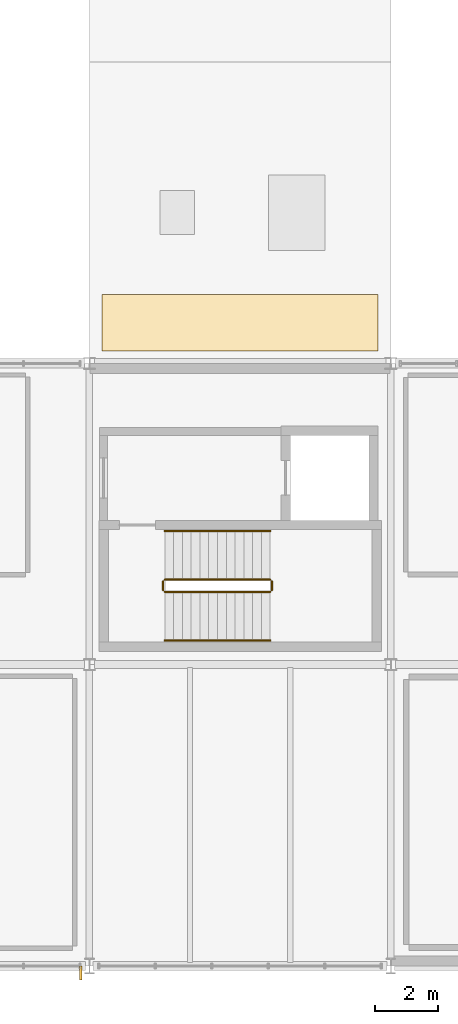
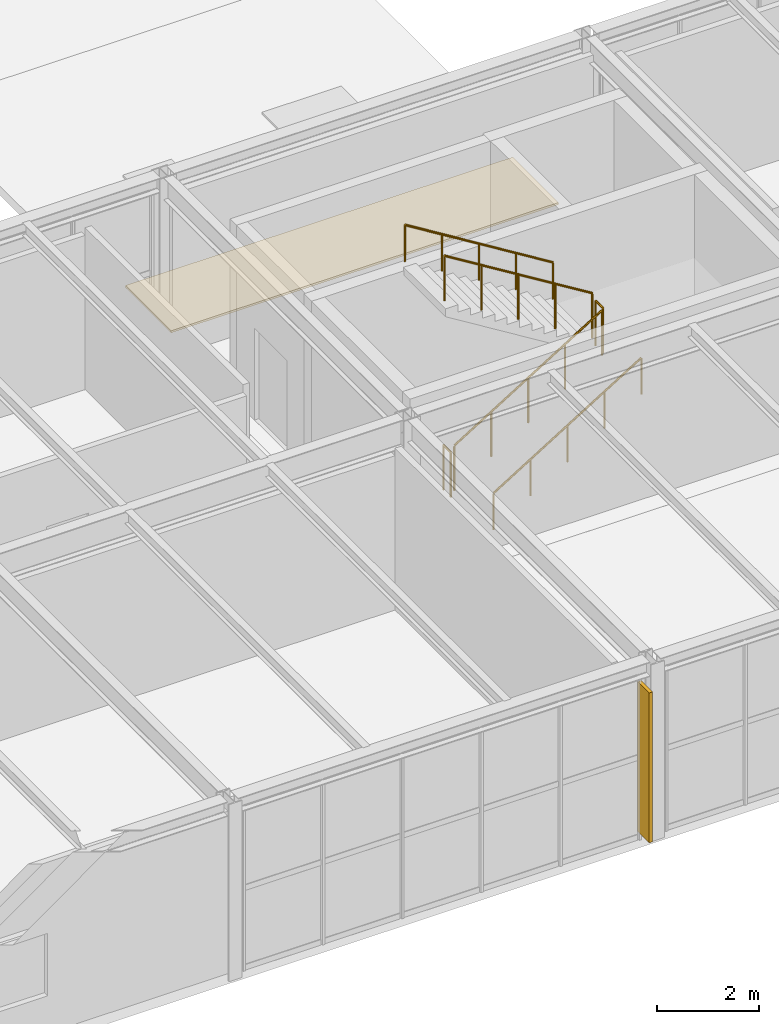
# One storey, part 159 of 170: 6 railings, 1 covering, 1 shading device.
"""IFC4 building model written with IfcOpenShell, lengths in metres."""

import ifcopenshell
import ifcopenshell.guid

model = None  # the IFC model being written
_history = None  # IfcOwnerHistory: only IFC2X3 demands one
_inside = {}  # id of a spatial element -> (the spatial element, [elements in it])
_under = {}  # id of a project, library or spatial element -> (it, [spatial elements below it])
_declared = {}  # id of a project -> (the project, [libraries it declares])
_typed = {}  # id of a type object -> (the type object, [elements of that type])
_made_of = {}  # id of a material, layer set ... -> (it, [elements and type objects made of it])


def new_model(schema):
    """Start an empty IFC model of exactly this schema.

    Asked for "IFC4X3", IfcOpenShell would pick the latest addendum, in which some entities
    have other attributes; the version numbers below select the first issue.
    IFC2X3 requires an IfcOwnerHistory on every rooted entity: one is made here for all.
    """
    global model, _history
    if schema == "IFC4X3":
        model = ifcopenshell.file(schema_version=(4, 3, 0, 0))
    else:
        model = ifcopenshell.file(schema=schema)
    _inside.clear()
    _under.clear()
    _declared.clear()
    _typed.clear()
    _made_of.clear()
    _history = None
    if model.schema == "IFC2X3":
        org = make("IfcOrganization", Name="unknown")
        user = make(
            "IfcPersonAndOrganization",
            ThePerson=make("IfcPerson", FamilyName="unknown"),
            TheOrganization=org,
        )
        app = make(
            "IfcApplication",
            ApplicationDeveloper=org,
            Version="unknown",
            ApplicationFullName="unknown",
            ApplicationIdentifier="unknown",
        )
        _history = make(
            "IfcOwnerHistory",
            OwningUser=user,
            OwningApplication=app,
            ChangeAction="ADDED",
            CreationDate=0,
        )
    return model


def make(cls, **values):
    """One entity of the class cls with the attributes given. An attribute that is None is left unset."""
    return model.create_entity(
        cls, **{name: value for name, value in values.items() if value is not None}
    )


def rooted(cls, **values):
    """An entity with a GlobalId (a new one), such as an element, a storey or a relation."""
    return make(cls, GlobalId=ifcopenshell.guid.new(), OwnerHistory=_history, **values)


def si_unit(unit_type, name, prefix=None):
    """IfcSIUnit, for example si_unit("LENGTHUNIT", "METRE", prefix="MILLI")."""
    return make("IfcSIUnit", UnitType=unit_type, Prefix=prefix, Name=name)


def assignment(units):
    """IfcUnitAssignment: the units of a project."""
    return None if units is None else make("IfcUnitAssignment", Units=units)


def point(xyz):
    """IfcCartesianPoint."""
    return None if xyz is None else make("IfcCartesianPoint", Coordinates=xyz)


def direction(xyz):
    """IfcDirection."""
    return None if xyz is None else make("IfcDirection", DirectionRatios=xyz)


def frame(location, z_axis=None, x_axis=None):
    """IfcAxis2Placement3D, a coordinate frame: its origin and axes. An axis left out is left unset."""
    return make(
        "IfcAxis2Placement3D",
        Location=point(location),
        Axis=direction(z_axis),
        RefDirection=direction(x_axis),
    )


def frame_2d(location, x_axis=None):
    """IfcAxis2Placement2D, a coordinate frame in the plane: its origin and x axis."""
    return make(
        "IfcAxis2Placement2D", Location=point(location), RefDirection=direction(x_axis)
    )


def origin():
    """The frame at (0, 0, 0) with its axes left unset."""
    return frame((0.0, 0.0, 0.0))


def origin_2d():
    """The frame at (0, 0) in the plane with its x axis left unset."""
    return frame_2d((0.0, 0.0))


def place(relative_to, where):
    """IfcLocalPlacement: puts the frame where relative to a parent placement (None: the world)."""
    return make(
        "IfcLocalPlacement", PlacementRelTo=relative_to, RelativePlacement=where
    )


def context(
    kind, dimensions, precision=None, world=None, true_north=None, identifier=None
):
    """IfcGeometricRepresentationContext, for example the 3D "Model" context."""
    return make(
        "IfcGeometricRepresentationContext",
        ContextIdentifier=identifier,
        ContextType=kind,
        CoordinateSpaceDimension=dimensions,
        Precision=precision,
        WorldCoordinateSystem=world,
        TrueNorth=true_north,
    )


def subcontext(parent, identifier, kind, view, scale=None):
    """IfcGeometricRepresentationSubContext, for example "Body" below "Model"."""
    return make(
        "IfcGeometricRepresentationSubContext",
        ContextIdentifier=identifier,
        ContextType=kind,
        ParentContext=parent,
        TargetScale=scale,
        TargetView=view,
    )


def project(units=None, contexts=None):
    """IfcProject with its units and contexts."""
    return rooted(
        "IfcProject",
        Name="project",
        RepresentationContexts=contexts,
        UnitsInContext=assignment(units),
    )


def spatial(cls, under=None, at=None, **own):
    """A site, building, storey or space (cls), placed at a placement, below another one or the project."""
    s = rooted(cls, ObjectPlacement=at, **own)
    if under is not None:
        _under.setdefault(under.id(), (under, []))[1].append(s)
    return s


def polyline(points):
    """IfcPolyline through the points."""
    return make("IfcPolyline", Points=[point(p) for p in points])


def profile(cls, at=None, kind="AREA", **sizes):
    """A parametric profile (cls). Its sizes go by their IFC names, for example OverallWidth=200.0."""
    return make(cls, ProfileType=kind, Position=at, **sizes)


def rectangle(**sizes):
    """IfcRectangleProfileDef."""
    return profile("IfcRectangleProfileDef", **sizes)


def circle(**sizes):
    """IfcCircleProfileDef."""
    return profile("IfcCircleProfileDef", **sizes)


def outline(outer, holes=None, kind="AREA"):
    """IfcArbitraryClosedProfileDef: a profile drawn as a closed curve; with holes, ...WithVoids."""
    if holes is None:
        return make("IfcArbitraryClosedProfileDef", ProfileType=kind, OuterCurve=outer)
    return make(
        "IfcArbitraryProfileDefWithVoids",
        ProfileType=kind,
        OuterCurve=outer,
        InnerCurves=holes,
    )


def extrude(swept, where, along, depth):
    """IfcExtrudedAreaSolid: the profile swept, set in the frame where, extruded along a direction by depth."""
    return make(
        "IfcExtrudedAreaSolid",
        SweptArea=swept,
        Position=where,
        ExtrudedDirection=direction(along),
        Depth=depth,
    )


def shape(context_of_items, identifier, shape_type, items):
    """IfcShapeRepresentation: the items that make up one representation, for example the "Body"."""
    return make(
        "IfcShapeRepresentation",
        ContextOfItems=context_of_items,
        RepresentationIdentifier=identifier,
        RepresentationType=shape_type,
        Items=items,
    )


def material(Name=None, Category=None):
    """IfcMaterial."""
    return make("IfcMaterial", Name=Name, Category=Category)


def layer(
    of_material, thickness, ventilated=None, Name=None, Category=None, Priority=None
):
    """IfcMaterialLayer: one layer of a wall or slab, of a material (None: an air gap)."""
    return make(
        "IfcMaterialLayer",
        Material=of_material,
        LayerThickness=thickness,
        IsVentilated=ventilated,
        Name=Name,
        Category=Category,
        Priority=Priority,
    )


def layer_set(layers, Name=None):
    """IfcMaterialLayerSet."""
    return make("IfcMaterialLayerSet", MaterialLayers=layers, LayerSetName=Name)


def made_of(thing, what):
    """Note that an element or type object is made of a material, layer set ...; save() writes the relation."""
    if what is not None:
        _made_of.setdefault(what.id(), (what, []))[1].append(thing)
    return thing


def type_object(cls, material=None, **own):
    """A type object (cls), such as IfcWallType, which elements share."""
    return made_of(rooted(cls, **own), material)


def element(
    cls,
    number,
    at=None,
    inside=None,
    cuts=None,
    type_object=None,
    material=None,
    context=None,
    identifier="Body",
    shape_type=None,
    held_by="IfcProductDefinitionShape",
    body=None,
    shapes=None,
    **own,
):
    """One element of the class cls, such as IfcWall. Its Tag is "e" and its number.

    at: its placement. inside: the storey or other place that contains it. cuts: it is an
    opening in that element (IfcRelVoidsElement). A single representation is given by context,
    identifier, shape_type and body (its items); several are given by shapes. held_by: the class
    of the entity that holds the representations. save() writes the other relations.
    """
    e = rooted(cls, Tag="e%d" % number, ObjectPlacement=at, **own)
    if body is not None:
        shapes = [shape(context, identifier, shape_type, body)]
    if shapes is not None:
        e.Representation = make(held_by, Representations=shapes)
    if inside is not None:
        _inside.setdefault(inside.id(), (inside, []))[1].append(e)
    if cuts is not None:
        rooted(
            "IfcRelVoidsElement", RelatingBuildingElement=cuts, RelatedOpeningElement=e
        )
    if type_object is not None:
        _typed.setdefault(type_object.id(), (type_object, []))[1].append(e)
    return made_of(e, material)


def aggregate(whole, parts):
    """IfcRelAggregates: a whole, such as a stair, and the parts it consists of."""
    return rooted("IfcRelAggregates", RelatingObject=whole, RelatedObjects=parts)


def save(model, path):
    """Write the relations noted so far, then the file.

    IfcRelAggregates (storeys below a building ...), IfcRelContainedInSpatialStructure (elements
    in a storey), IfcRelDefinesByType, IfcRelAssociatesMaterial and IfcRelDeclares: one each for
    every whole, place, type object, material and project.
    """
    for whole, parts in _under.values():
        aggregate(whole, parts)
    for where, things in _inside.values():
        rooted(
            "IfcRelContainedInSpatialStructure",
            RelatedElements=things,
            RelatingStructure=where,
        )
    for kind, things in _typed.values():
        rooted("IfcRelDefinesByType", RelatedObjects=things, RelatingType=kind)
    for what, things in _made_of.values():
        rooted("IfcRelAssociatesMaterial", RelatedObjects=things, RelatingMaterial=what)
    for by, libraries in _declared.values():
        rooted("IfcRelDeclares", RelatingContext=by, RelatedDefinitions=libraries)
    model.write(path)


model = new_model("IFC4")

# Units and contexts
model_context = context("Model", 3, precision=1e-05, world=origin(), true_north=direction((0.0, 1.0)))
body_context = subcontext(model_context, "Body", "Model", "MODEL_VIEW")
ifc_project = project(units=[si_unit("LENGTHUNIT", "METRE"), si_unit("AREAUNIT", "SQUARE_METRE"), si_unit("VOLUMEUNIT", "CUBIC_METRE"), si_unit("PLANEANGLEUNIT", "RADIAN"), si_unit("MASSUNIT", "GRAM", prefix="KILO")], contexts=[model_context])

# Site, building, storey
site_placement = place(None, origin())
site = spatial("IfcSite", under=ifc_project, at=site_placement, CompositionType="ELEMENT")
building_placement = place(site_placement, origin())
building = spatial("IfcBuilding", under=site, at=building_placement, Name="Coralgate Yard Interchange", CompositionType="ELEMENT")
storey_placement = place(building_placement, frame((0.0, 0.0, 6.0)))
storey = spatial("IfcBuildingStorey", under=building, at=storey_placement, Name="L01", CompositionType="ELEMENT", Elevation=6.0)

# Covering
ifc_material_1 = material(Name="High-albedo solar-reflective TPO coastal roof membrane")
ifc_layer = layer(ifc_material_1, 0.050048828125)
ifc_layer_set = layer_set([ifc_layer], Name="High-albedo solar-reflective TPO coastal roof membrane")
covering_type = type_object("IfcCoveringType", Name="COV-ROF1", PredefinedType="ROOFING", material=ifc_layer_set)
covering_placement = place(storey_placement, origin())
element("IfcCovering", 1, at=covering_placement, inside=storey, type_object=covering_type, Name="L01 high-albedo TPO roof membrane 2", PredefinedType="ROOFING", context=body_context, shape_type="SweptSolid", body=[
    extrude(outline(polyline([(48.39990234375, 19.60009765625), (57.199951171875, 19.60009765625), (57.199951171875, 21.39990234375), (48.39990234375, 21.39990234375), (48.39990234375, 19.60009765625)])), origin(), (0.0, 0.0, 1.0), 0.050048828125),
])

# Railings
ifc_material_2 = material(Name="Grade 316 marine stainless steel and toughened glass balustrade", Category="steel")
railing_type_1 = type_object("IfcRailingType", Name="RLG-GD1100", PredefinedType="BALUSTRADE", material=ifc_material_2)
railing_1_placement = place(storey_placement, frame((50.39990234375, 11.919921875, 0.173095703125)))
element("IfcRailing", 2, at=railing_1_placement, inside=storey, type_object=railing_type_1, Name="L01 ST-02 stair guard 1", PredefinedType="BALUSTRADE", context=body_context, shape_type="SweptSolid", body=[
    extrude(circle(Radius=0.02392578125, at=origin_2d()), frame((0.0, 0.0, 1.076171875), z_axis=(0.850623216509, 0.0, 0.525775754039), x_axis=(0.0, 1.0, 0.0)), (0.0, 0.0, 1.0), 3.9501953125),
    extrude(circle(Radius=0.02099609375, at=origin_2d()), origin(), (0.0, 0.0, 1.0), 1.051513671875),
    extrude(circle(Radius=0.02099609375, at=origin_2d()), frame((0.840087890625, 0.0, 0.519287109375)), (0.0, 0.0, 1.0), 1.051513671875),
    extrude(circle(Radius=0.02099609375, at=origin_2d()), frame((1.68017578125, 0.0, 1.03857421875)), (0.0, 0.0, 1.0), 1.051513671875),
    extrude(circle(Radius=0.02099609375, at=origin_2d()), frame((2.52001953125, 0.0, 1.5576171875)), (0.0, 0.0, 1.0), 1.051513671875),
    extrude(circle(Radius=0.02099609375, at=origin_2d()), frame((3.360107421875, 0.0, 2.076904296875)), (0.0, 0.0, 1.0), 1.051513671875),
])
railing_2_placement = place(storey_placement, frame((53.81005859375, 11.969970703125, 2.25)))
element("IfcRailing", 3, at=railing_2_placement, inside=storey, type_object=railing_type_1, Name="L01 ST-02 stair guard 2", PredefinedType="BALUSTRADE", context=body_context, shape_type="SweptSolid", body=[
    extrude(circle(Radius=0.02392578125, at=origin_2d()), frame((0.0, 0.0, 1.076171875), z_axis=(0.0, 1.0, 0.0), x_axis=(-1.0, 0.0, 0.0)), (0.0, 0.0, 1.0), 0.2900390625),
    extrude(circle(Radius=0.02099609375, at=origin_2d()), origin(), (0.0, 0.0, 1.0), 1.051513671875),
    extrude(circle(Radius=0.02099609375, at=origin_2d()), frame((0.0, 0.2900390625, 0.0)), (0.0, 0.0, 1.0), 1.051513671875),
])
railing_3_placement = place(storey_placement, frame((53.760009765625, 12.31005859375, 2.423095703125)))
element("IfcRailing", 4, at=railing_3_placement, inside=storey, type_object=railing_type_1, Name="L01 ST-02 stair guard 3", PredefinedType="BALUSTRADE", context=body_context, shape_type="SweptSolid", body=[
    extrude(circle(Radius=0.02392578125, at=origin_2d()), frame((0.0, 0.0, 1.076171875), z_axis=(-0.850623216509, 0.0, 0.525775754039), x_axis=(0.0, -1.0, 0.0)), (0.0, 0.0, 1.0), 3.9501953125),
    extrude(circle(Radius=0.02099609375, at=origin_2d()), origin(), (0.0, 0.0, 1.0), 1.051513671875),
    extrude(circle(Radius=0.02099609375, at=origin_2d()), frame((-0.840087890625, 0.0, 0.519287109375)), (0.0, 0.0, 1.0), 1.051513671875),
    extrude(circle(Radius=0.02099609375, at=origin_2d()), frame((-1.68017578125, 0.0, 1.03857421875)), (0.0, 0.0, 1.0), 1.051513671875),
    extrude(circle(Radius=0.02099609375, at=origin_2d()), frame((-2.52001953125, 0.0, 1.5576171875)), (0.0, 0.0, 1.0), 1.051513671875),
    extrude(circle(Radius=0.02099609375, at=origin_2d()), frame((-3.360107421875, 0.0, 2.076904296875)), (0.0, 0.0, 1.0), 1.051513671875),
])
railing_4_placement = place(storey_placement, frame((50.35009765625, 11.969970703125, 0.0)))
element("IfcRailing", 5, at=railing_4_placement, inside=storey, type_object=railing_type_1, Name="L01 ST-02 stair guard 4", PredefinedType="BALUSTRADE", context=body_context, shape_type="SweptSolid", body=[
    extrude(circle(Radius=0.02392578125, at=origin_2d()), frame((0.0, 0.0, 1.076171875), z_axis=(0.0, 1.0, 0.0), x_axis=(-1.0, 0.0, 0.0)), (0.0, 0.0, 1.0), 0.2900390625),
    extrude(circle(Radius=0.02099609375, at=origin_2d()), origin(), (0.0, 0.0, 1.0), 1.051513671875),
    extrude(circle(Radius=0.02099609375, at=origin_2d()), frame((0.0, 0.2900390625, 0.0)), (0.0, 0.0, 1.0), 1.051513671875),
])
ifc_material_3 = material(Name="Grade 316 marine stainless steel", Category="steel")
railing_type_2 = type_object("IfcRailingType", Name="RLG-HR900", PredefinedType="HANDRAIL", material=ifc_material_3)
railing_5_placement = place(storey_placement, frame((50.39990234375, 10.3701171875, 0.173095703125)))
element("IfcRailing", 6, at=railing_5_placement, inside=storey, type_object=railing_type_2, Name="L01 ST-02 stair handrail 1", PredefinedType="HANDRAIL", context=body_context, shape_type="SweptSolid", body=[
    extrude(circle(Radius=0.02392578125, at=origin_2d()), frame((0.0, 0.0, 0.8759765625), z_axis=(0.850623216509, 0.0, 0.525775754039), x_axis=(0.0, 1.0, 0.0)), (0.0, 0.0, 1.0), 3.9501953125),
    extrude(circle(Radius=0.02099609375, at=origin_2d()), origin(), (0.0, 0.0, 1.0), 0.851318359375),
    extrude(circle(Radius=0.02099609375, at=origin_2d()), frame((0.840087890625, 0.0, 0.519287109375)), (0.0, 0.0, 1.0), 0.851318359375),
    extrude(circle(Radius=0.02099609375, at=origin_2d()), frame((1.68017578125, 0.0, 1.03857421875)), (0.0, 0.0, 1.0), 0.851318359375),
    extrude(circle(Radius=0.02099609375, at=origin_2d()), frame((2.52001953125, 0.0, 1.5576171875)), (0.0, 0.0, 1.0), 0.851318359375),
    extrude(circle(Radius=0.02099609375, at=origin_2d()), frame((3.360107421875, 0.0, 2.076904296875)), (0.0, 0.0, 1.0), 0.851318359375),
])
railing_6_placement = place(storey_placement, frame((53.760009765625, 13.860107421875, 2.423095703125)))
element("IfcRailing", 7, at=railing_6_placement, inside=storey, type_object=railing_type_2, Name="L01 ST-02 stair handrail 2", PredefinedType="HANDRAIL", context=body_context, shape_type="SweptSolid", body=[
    extrude(circle(Radius=0.02392578125, at=origin_2d()), frame((0.0, 0.0, 0.8759765625), z_axis=(-0.850623216509, 0.0, 0.525775754039), x_axis=(0.0, -1.0, 0.0)), (0.0, 0.0, 1.0), 3.9501953125),
    extrude(circle(Radius=0.02099609375, at=origin_2d()), origin(), (0.0, 0.0, 1.0), 0.851318359375),
    extrude(circle(Radius=0.02099609375, at=origin_2d()), frame((-0.840087890625, 0.0, 0.519287109375)), (0.0, 0.0, 1.0), 0.851318359375),
    extrude(circle(Radius=0.02099609375, at=origin_2d()), frame((-1.68017578125, 0.0, 1.03857421875)), (0.0, 0.0, 1.0), 0.851318359375),
    extrude(circle(Radius=0.02099609375, at=origin_2d()), frame((-2.52001953125, 0.0, 1.5576171875)), (0.0, 0.0, 1.0), 0.851318359375),
    extrude(circle(Radius=0.02099609375, at=origin_2d()), frame((-3.360107421875, 0.0, 2.076904296875)), (0.0, 0.0, 1.0), 0.851318359375),
])

# Shading device
ifc_material_4 = material(Name="Anodised coastal aluminium vertical brise-soleil blade", Category="aluminium")
shading_device_type = type_object("IfcShadingDeviceType", Name="SHD-BS1", PredefinedType="SHUTTER", material=ifc_material_4)
shading_device_placement = place(storey_placement, frame((47.72998046875, -0.219970703125, 0.14990234375), z_axis=(0.0, 0.0, 1.0), x_axis=(-1.0, 0.0, 0.0)))
element("IfcShadingDevice", 8, at=shading_device_placement, inside=storey, type_object=shading_device_type, Name="L01 coastal aluminium brise-soleil fin S-4-0", PredefinedType="SHUTTER", context=body_context, shape_type="SweptSolid", body=[
    extrude(rectangle(XDim=0.080078125, YDim=0.449951171875, at=origin_2d()), origin(), (0.0, 0.0, 1.0), 3.60009765625),
])

save(model, "model.ifc")
